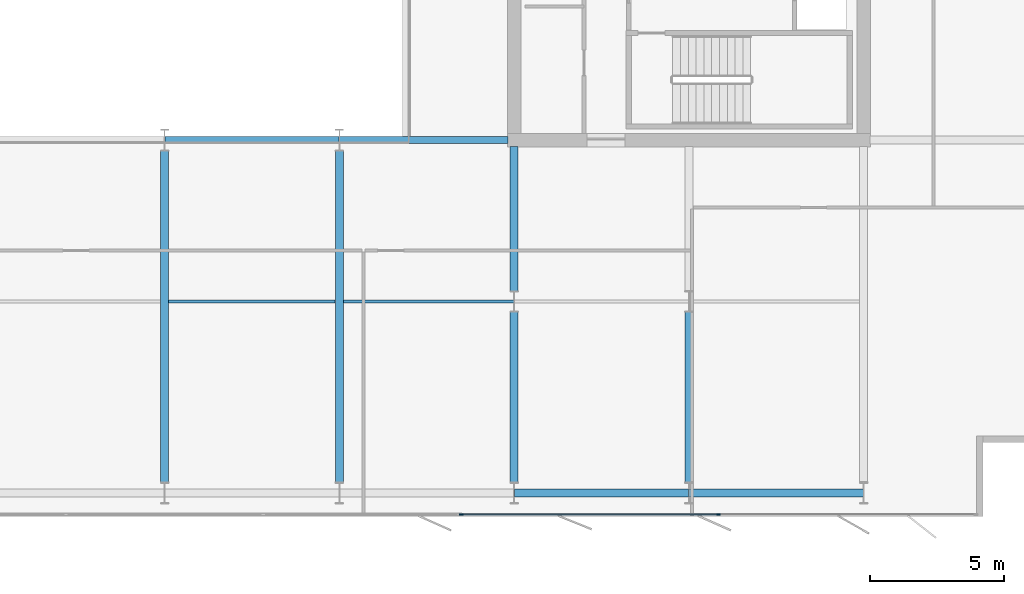
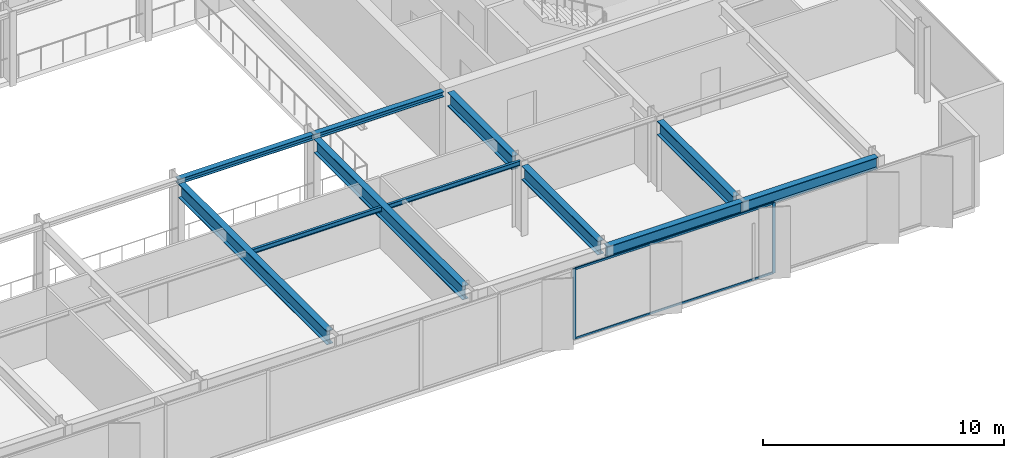
# One storey, part 7 of 23: 11 beams, 4 members, 1 element without a shape of its own.
"""IFC4 building model written with IfcOpenShell, lengths in metres."""

from ifc_helpers import new_model, si_unit, direction, frame, origin, origin_2d, place, context, subcontext, project, spatial, rectangle, i_section, extrude, material, layer, layer_set, material_profile, profile_set, type_object, element, aggregate, save


model = new_model("IFC4")

# Units and contexts
model_context = context("Model", 3, precision=1e-05, world=origin(), true_north=direction((0.0, 1.0)))
body_context = subcontext(model_context, "Body", "Model", "MODEL_VIEW")
ifc_project = project(units=[si_unit("LENGTHUNIT", "METRE"), si_unit("AREAUNIT", "SQUARE_METRE"), si_unit("VOLUMEUNIT", "CUBIC_METRE"), si_unit("PLANEANGLEUNIT", "RADIAN"), si_unit("MASSUNIT", "GRAM", prefix="KILO")], contexts=[model_context])

# Site, building, storey
site_placement = place(None, origin())
site = spatial("IfcSite", under=ifc_project, at=site_placement, CompositionType="ELEMENT")
building_placement = place(site_placement, origin())
building = spatial("IfcBuilding", under=site, at=building_placement, Name="Putna Gate Headquarters", CompositionType="ELEMENT")
storey_placement = place(building_placement, frame((0.0, 0.0, 232.800048828125)))
storey = spatial("IfcBuildingStorey", under=building, at=storey_placement, Name="L58", CompositionType="ELEMENT", Elevation=232.800048828125)

# Beams
ifc_material_1 = material(Name="Steel S355J2", Category="steel")
ifc_material_profile_1 = material_profile(ifc_material_1, i_section(OverallWidth=0.260009765625, OverallDepth=0.260009765625, WebThickness=0.010009765625, FlangeThickness=0.017578125, at=origin_2d()), Name="Steel S355J2")
ifc_profile_set_1 = profile_set([ifc_material_profile_1], Name="Steel S355J2")
beam_type_1 = type_object("IfcBeamType", Name="BM-ATRIUM-HEB260", PredefinedType="BEAM", material=ifc_profile_set_1)
beam_1_placement = place(storey_placement, frame((39.006103515625, 19.0, 3.449951171875), z_axis=(1.0, 0.0, 0.0), x_axis=(0.0, 1.0, 0.0)))
element("IfcBeam", 1, at=beam_1_placement, inside=storey, type_object=beam_type_1, Name="L58 Atrium Edge Beam AS3", PredefinedType="BEAM", context=body_context, shape_type="SweptSolid", body=[
    extrude(i_section(OverallWidth=0.260009765625, OverallDepth=0.260009765625, WebThickness=0.010009765625, FlangeThickness=0.017578125, at=origin_2d()), origin(), (0.0, 0.0, 1.0), 6.48779296875),
])
beam_2_placement = place(storey_placement, frame((45.506103515625, 19.0, 3.449951171875), z_axis=(1.0, 0.0, 0.0), x_axis=(0.0, 1.0, 0.0)))
element("IfcBeam", 2, at=beam_2_placement, inside=storey, type_object=beam_type_1, Name="L58 Atrium Edge Beam AS4", PredefinedType="BEAM", context=body_context, shape_type="SweptSolid", body=[
    extrude(i_section(OverallWidth=0.260009765625, OverallDepth=0.260009765625, WebThickness=0.010009765625, FlangeThickness=0.017578125, at=origin_2d()), origin(), (0.0, 0.0, 1.0), 6.2587890625),
])
ifc_material_profile_2 = material_profile(ifc_material_1, i_section(OverallWidth=0.300048828125, OverallDepth=0.699951171875, WebThickness=0.01708984375, FlangeThickness=0.031982421875, at=origin_2d()), Name="Steel S355J2")
ifc_profile_set_2 = profile_set([ifc_material_profile_2], Name="Steel S355J2")
beam_type_2 = type_object("IfcBeamType", Name="BM-GIRD-B-HEB700", PredefinedType="USERDEFINED", material=ifc_profile_set_2)
for number, where, z_axis, x_axis, name in (
    (3, (39.0, 6.27490234375, 3.22998046875), (0.0, 1.0, 0.0), (-1.0, 0.0, 0.0), "L58 South Primary Girder X39"),
    (4, (45.5, 6.27490234375, 3.22998046875), (0.0, 1.0, 0.0), (-1.0, 0.0, 0.0), "L58 South Primary Girder X45"),
):
    element("IfcBeam", number, at=place(storey_placement, frame(where, z_axis=z_axis, x_axis=x_axis)), inside=storey, type_object=beam_type_2, Name=name, ObjectType="GIRDER", PredefinedType="USERDEFINED", context=body_context, shape_type="SweptSolid", body=[
        extrude(i_section(OverallWidth=0.300048828125, OverallDepth=0.699951171875, WebThickness=0.01708984375, FlangeThickness=0.031982421875, at=origin_2d()), origin(), (0.0, 0.0, 1.0), 12.330078125),
    ])
beam_3_placement = place(storey_placement, frame((52.0, 6.27490234375, 3.22998046875), z_axis=(0.0, 1.0, 0.0), x_axis=(-1.0, 0.0, 0.0)))
element("IfcBeam", 5, at=beam_3_placement, inside=storey, type_object=beam_type_2, Name="L58 South Primary Girder X52-1", ObjectType="GIRDER", PredefinedType="USERDEFINED", context=body_context, shape_type="SweptSolid", body=[
    extrude(i_section(OverallWidth=0.300048828125, OverallDepth=0.699951171875, WebThickness=0.01708984375, FlangeThickness=0.031982421875, at=origin_2d()), origin(), (0.0, 0.0, 1.0), 6.330078125),
])
beam_4_placement = place(storey_placement, frame((52.0, 13.39501953125, 3.22998046875), z_axis=(0.0, 1.0, 0.0), x_axis=(-1.0, 0.0, 0.0)))
element("IfcBeam", 6, at=beam_4_placement, inside=storey, type_object=beam_type_2, Name="L58 South Primary Girder X52-2", ObjectType="GIRDER", PredefinedType="USERDEFINED", context=body_context, shape_type="SweptSolid", body=[
    extrude(i_section(OverallWidth=0.300048828125, OverallDepth=0.699951171875, WebThickness=0.01708984375, FlangeThickness=0.031982421875, at=origin_2d()), origin(), (0.0, 0.0, 1.0), 5.369873046875),
])
beam_5_placement = place(storey_placement, frame((58.5, 6.27490234375, 3.22998046875), z_axis=(0.0, 1.0, 0.0), x_axis=(-1.0, 0.0, 0.0)))
element("IfcBeam", 7, at=beam_5_placement, inside=storey, type_object=beam_type_2, Name="L58 South Primary Girder X58-1", ObjectType="GIRDER", PredefinedType="USERDEFINED", context=body_context, shape_type="SweptSolid", body=[
    extrude(i_section(OverallWidth=0.300048828125, OverallDepth=0.699951171875, WebThickness=0.01708984375, FlangeThickness=0.031982421875, at=origin_2d()), origin(), (0.0, 0.0, 1.0), 6.330078125),
])
ifc_material_profile_3 = material_profile(ifc_material_1, i_section(OverallWidth=0.1201171875, OverallDepth=0.239990234375, WebThickness=0.006103515625, FlangeThickness=0.009765625, at=origin_2d()), Name="Steel S355J2")
ifc_profile_set_3 = profile_set([ifc_material_profile_3], Name="Steel S355J2")
beam_type_3 = type_object("IfcBeamType", Name="BM-SEC-Z4-IPE240", PredefinedType="JOIST", material=ifc_profile_set_3)
beam_6_placement = place(storey_placement, frame((39.154052734375, 13.0, 3.4599609375), z_axis=(1.0, 0.0, 0.0), x_axis=(0.0, 1.0, 0.0)))
element("IfcBeam", 8, at=beam_6_placement, inside=storey, type_object=beam_type_3, Name="L58 South Secondary Beam 5", PredefinedType="JOIST", context=body_context, shape_type="SweptSolid", body=[
    extrude(i_section(OverallWidth=0.1201171875, OverallDepth=0.239990234375, WebThickness=0.006103515625, FlangeThickness=0.009765625, at=origin_2d()), origin(), (0.0, 0.0, 1.0), 6.19189453125),
])
beam_7_placement = place(storey_placement, frame((45.654052734375, 13.0, 3.4599609375), z_axis=(1.0, 0.0, 0.0), x_axis=(0.0, 1.0, 0.0)))
element("IfcBeam", 9, at=beam_7_placement, inside=storey, type_object=beam_type_3, Name="L58 South Secondary Beam 6", PredefinedType="JOIST", context=body_context, shape_type="SweptSolid", body=[
    extrude(i_section(OverallWidth=0.1201171875, OverallDepth=0.239990234375, WebThickness=0.006103515625, FlangeThickness=0.009765625, at=origin_2d()), origin(), (0.0, 0.0, 1.0), 6.33984375),
])
ifc_material_profile_4 = material_profile(ifc_material_1, i_section(OverallWidth=0.300048828125, OverallDepth=0.590087890625, WebThickness=0.012939453125, FlangeThickness=0.02490234375, at=origin_2d()), Name="Steel S355J2")
ifc_profile_set_4 = profile_set([ifc_material_profile_4], Name="Steel S355J2")
beam_type_4 = type_object("IfcBeamType", Name="BM-SPAN-Z4-HEA600", PredefinedType="SPANDREL", material=ifc_profile_set_4)
for number, where, z_axis, x_axis, name in (
    (10, (52.006103515625, 5.8798828125, 3.284912109375), (1.0, 0.0, 0.0), (0.0, 1.0, 0.0), "L58 S Perimeter Spandrel 7"),
    (11, (58.506103515625, 5.8798828125, 3.284912109375), (1.0, 0.0, 0.0), (0.0, 1.0, 0.0), "L58 S Perimeter Spandrel 8"),
):
    element("IfcBeam", number, at=place(storey_placement, frame(where, z_axis=z_axis, x_axis=x_axis)), inside=storey, type_object=beam_type_4, Name=name, PredefinedType="SPANDREL", context=body_context, shape_type="SweptSolid", body=[
        extrude(i_section(OverallWidth=0.300048828125, OverallDepth=0.590087890625, WebThickness=0.012939453125, FlangeThickness=0.02490234375, at=origin_2d()), origin(), (0.0, 0.0, 1.0), 6.48779296875),
    ])

# Curtain wall, members
ifc_material_2 = material(Name="Anodised bronze aluminium curtain wall", Category="aluminium")
ifc_layer = layer(ifc_material_2, 0.139892578125)
ifc_layer_set = layer_set([ifc_layer], Name="Anodised bronze aluminium curtain wall")
curtain_wall_type = type_object("IfcCurtainWallType", Name="CW-SYS-Z4", PredefinedType="USERDEFINED", material=ifc_layer_set)
curtain_wall_placement = place(storey_placement, origin())
curtain_wall = element("IfcCurtainWall", 12, at=curtain_wall_placement, inside=storey, type_object=curtain_wall_type, Name="L58 South East Curtain Wall", ObjectType="STICK CURTAIN WALL", PredefinedType="USERDEFINED")
ifc_material_3 = material(Name="Anodised bronze aluminium EN AW-6060", Category="aluminium")
ifc_material_profile_5 = material_profile(ifc_material_3, rectangle(XDim=0.06005859375, YDim=0.139892578125, at=origin_2d()), Name="Anodised bronze aluminium EN AW-6060")
ifc_profile_set_5 = profile_set([ifc_material_profile_5], Name="Anodised bronze aluminium EN AW-6060")
member_type_1 = type_object("IfcMemberType", Name="MULL-CWM-4", PredefinedType="MULLION", material=ifc_profile_set_5)
member_1_placement = place(storey_placement, frame((50.030029296875, 5.080078125, 0.0), z_axis=(0.0, 0.0, 1.0), x_axis=(0.0, 1.0, 0.0)))
member_1 = element("IfcMember", 13, at=member_1_placement, type_object=member_type_1, Name="CWS-4 mullion 1", PredefinedType="MULLION", context=body_context, shape_type="SweptSolid", body=[
    extrude(rectangle(XDim=0.06005859375, YDim=0.139892578125, at=origin_2d()), origin(), (0.0, 0.0, 1.0), 3.579833984375),
])
member_2_placement = place(storey_placement, frame((59.60009765625, 5.080078125, 0.0), z_axis=(0.0, 0.0, 1.0), x_axis=(0.0, 1.0, 0.0)))
member_2 = element("IfcMember", 14, at=member_2_placement, type_object=member_type_1, Name="CWS-4 mullion 2", PredefinedType="MULLION", context=body_context, shape_type="SweptSolid", body=[
    extrude(rectangle(XDim=0.06005859375, YDim=0.139892578125, at=origin_2d()), origin(), (0.0, 0.0, 1.0), 3.579833984375),
])
ifc_material_profile_6 = material_profile(ifc_material_3, rectangle(XDim=0.06005859375, YDim=0.10009765625, at=origin_2d()), Name="Anodised bronze aluminium EN AW-6060")
ifc_profile_set_6 = profile_set([ifc_material_profile_6], Name="Anodised bronze aluminium EN AW-6060")
member_type_2 = type_object("IfcMemberType", Name="TRAN-CWT-4", PredefinedType="USERDEFINED", material=ifc_profile_set_6)
member_3_placement = place(storey_placement, frame((50.06005859375, 5.080078125, 0.030029296875), z_axis=(1.0, 0.0, 0.0), x_axis=(0.0, 1.0, 0.0)))
member_3 = element("IfcMember", 15, at=member_3_placement, type_object=member_type_2, Name="CWS-4 transom 1.1", ObjectType="TRANSOM", PredefinedType="USERDEFINED", context=body_context, shape_type="SweptSolid", body=[
    extrude(rectangle(XDim=0.06005859375, YDim=0.10009765625, at=origin_2d()), origin(), (0.0, 0.0, 1.0), 9.510009765625),
])
member_4_placement = place(storey_placement, frame((50.06005859375, 5.080078125, 3.550048828125), z_axis=(1.0, 0.0, 0.0), x_axis=(0.0, 1.0, 0.0)))
member_4 = element("IfcMember", 16, at=member_4_placement, type_object=member_type_2, Name="CWS-4 transom 1.2", ObjectType="TRANSOM", PredefinedType="USERDEFINED", context=body_context, shape_type="SweptSolid", body=[
    extrude(rectangle(XDim=0.06005859375, YDim=0.10009765625, at=origin_2d()), origin(), (0.0, 0.0, 1.0), 9.510009765625),
])
aggregate(curtain_wall, [member_1, member_2, member_3, member_4])

save(model, "model.ifc")
